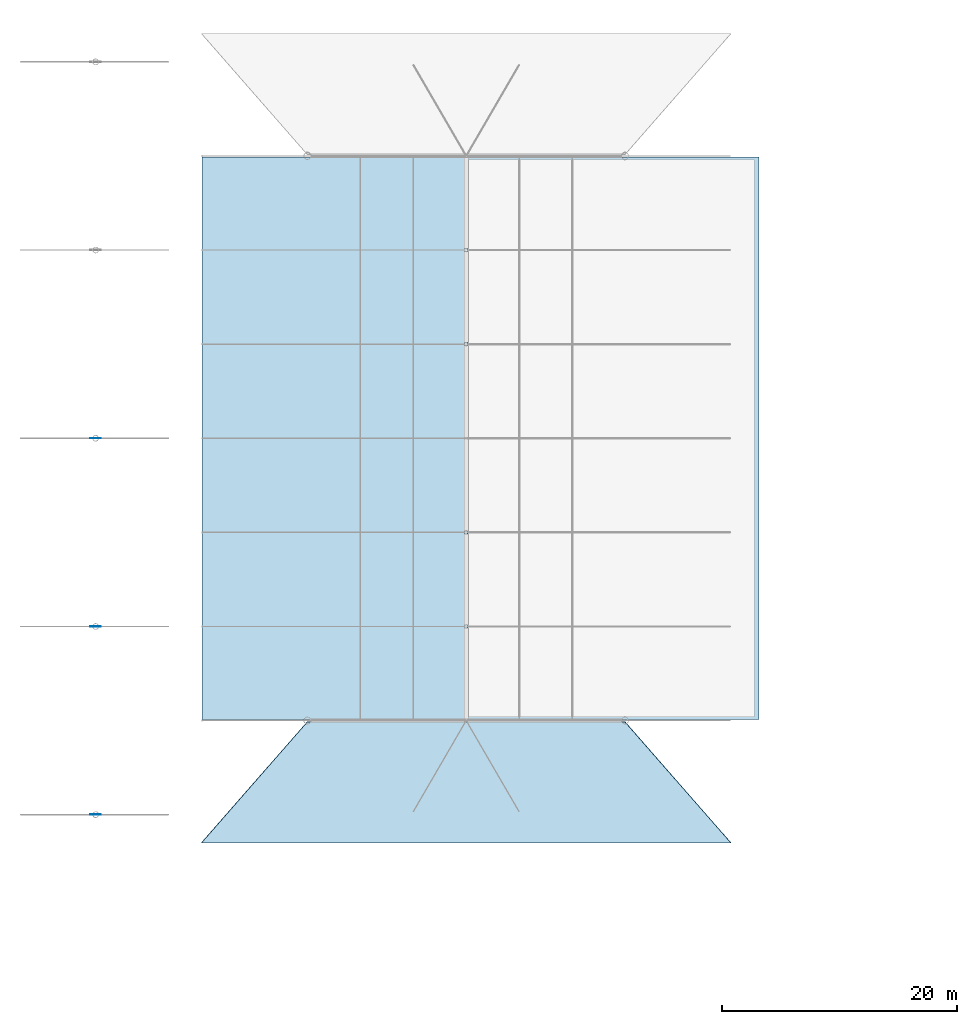
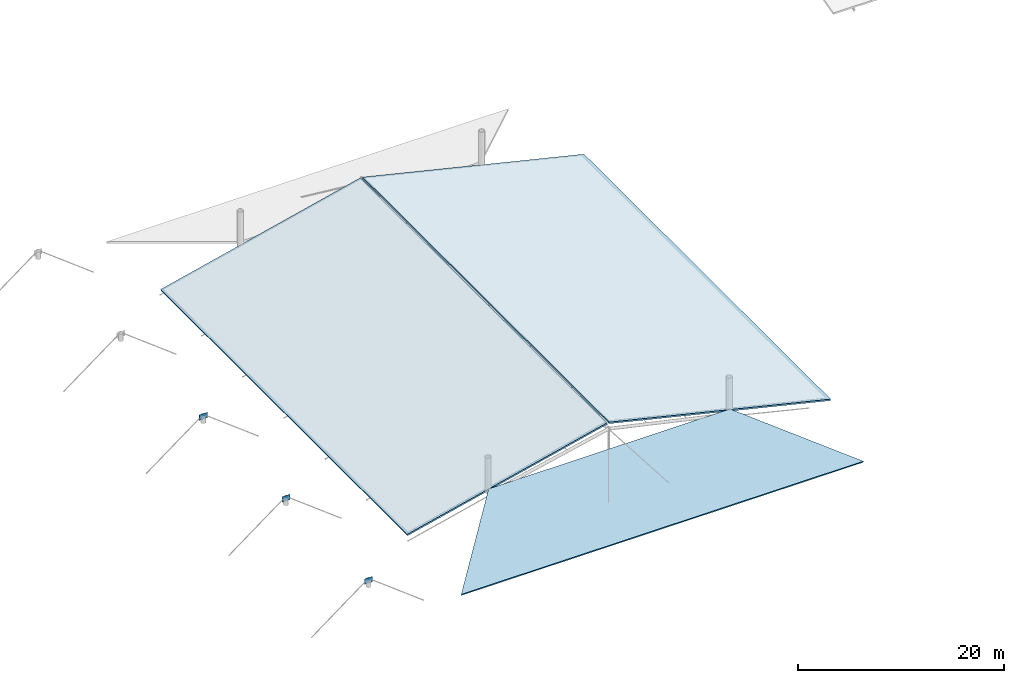
# One storey, part 53 of 71: 3 plates, 3 slabs, 3 elements without a shape of their own.
"""IFC4 building model written with IfcOpenShell, lengths in metres."""

from ifc_helpers import new_model, si_unit, derived_unit, direction, frame, origin, origin_2d, place, context, subcontext, project, spatial, polyline, rectangle, outline, extrude, material, layer, layer_set, type_object, element, aggregate, save


model = new_model("IFC4")

# Units and contexts
model_context = context("Model", 3, precision=1e-05, world=origin(), true_north=direction((0.0, 1.0)))
body_context = subcontext(model_context, "Body", "Model", "MODEL_VIEW")
ifc_project = project(units=[si_unit("LENGTHUNIT", "METRE"), si_unit("AREAUNIT", "SQUARE_METRE"), si_unit("VOLUMEUNIT", "CUBIC_METRE"), si_unit("PLANEANGLEUNIT", "RADIAN"), si_unit("MASSUNIT", "GRAM", prefix="KILO"), derived_unit("THERMALTRANSMITTANCEUNIT", [(si_unit("MASSUNIT", "GRAM", prefix="KILO"), 1), (si_unit("TIMEUNIT", "SECOND"), -3), (si_unit("THERMODYNAMICTEMPERATUREUNIT", "KELVIN"), -1)])], contexts=[model_context])

# Site, building, storey
site_placement = place(None, origin())
site = spatial("IfcSite", under=ifc_project, at=site_placement, CompositionType="ELEMENT")
building_placement = place(site_placement, origin())
building = spatial("IfcBuilding", under=site, at=building_placement, Name="Zhenchuan Archway Interchange", CompositionType="ELEMENT")
storey_placement = place(building_placement, frame((0.0, 0.0, 18.60009765625)))
storey = spatial("IfcBuildingStorey", under=building, at=storey_placement, Name="L04", CompositionType="ELEMENT", Elevation=18.60009765625)

# Plates
ifc_material_1 = material(Name="Steel Q355", Category="steel")
ifc_layer_1 = layer(ifc_material_1, 0.028076171875)
ifc_layer_set_1 = layer_set([ifc_layer_1], Name="Steel Q355")
plate_type = type_object("IfcPlateType", Name="PLT_GUSSET_1", PredefinedType="SHEET", material=ifc_layer_set_1)
for number, where, z_axis, x_axis, name in (
    (1, (18.0, 24.0, 0.375), (0.0, 0.0, 1.0), (1.0, 0.0, 0.0), "Bus canopy mast cable gusset plate BM1"),
    (2, (18.0, 40.0, 0.375), (0.0, 0.0, 1.0), (1.0, 0.0, 0.0), "Bus canopy mast cable gusset plate BM2"),
    (3, (18.0, 56.0, 0.375), (0.0, 0.0, 1.0), (1.0, 0.0, 0.0), "Bus canopy mast cable gusset plate BM3"),
):
    element("IfcPlate", number, at=place(storey_placement, frame(where, z_axis=z_axis, x_axis=x_axis)), inside=storey, type_object=plate_type, Name=name, PredefinedType="SHEET", context=body_context, shape_type="SweptSolid", body=[
        extrude(rectangle(XDim=0.89990234375, YDim=0.028076171875, at=origin_2d()), origin(), (0.0, 0.0, 1.0), 0.64990234375),
    ])

# Roof, slab
ifc_material_2 = material(Name="Steel Q390", Category="steel")
roof_type = type_object("IfcRoofType", Name="ROOF_TENSILE_CABLE", PredefinedType="FREEFORM", material=ifc_material_2)
roof_1_placement = place(storey_placement, origin())
roof_1 = element("IfcRoof", 4, at=roof_1_placement, inside=storey, type_object=roof_type, Name="Concourse cable-net tensile roof west slope", PredefinedType="FREEFORM")
ifc_material_3 = material(Name="Concrete C35", Category="concrete")
ifc_layer_2 = layer(ifc_material_3, 0.179931640625)
ifc_layer_set_2 = layer_set([ifc_layer_2], Name="Concrete C35")
slab_type = type_object("IfcSlabType", Name="SLB_TENSILE_180", PredefinedType="ROOF", material=ifc_layer_set_2)
slab_1_placement = place(storey_placement, frame((27.02001953125, 32.10009765625, -1.93505859375), z_axis=(-0.23335648848, 0.0, 0.972391253192), x_axis=(0.972391253192, 0.0, 0.23335648848)))
slab_1 = element("IfcSlab", 5, at=slab_1_placement, type_object=slab_type, Name="Concourse tensile roof west facet", PredefinedType="ROOF", context=body_context, shape_type="SweptSolid", body=[
    extrude(outline(polyline([(0.0, 0.0), (22.994718646275214, 0.0), (22.994718646275214, 47.7998046875), (0.0, 47.7998046875), (0.0, 0.0)])), origin(), (0.0, 0.0, -1.0), 0.179931640625),
])
aggregate(roof_1, [slab_1])

roof_2_placement = place(storey_placement, origin())
roof_2 = element("IfcRoof", 6, at=roof_2_placement, inside=storey, type_object=roof_type, Name="Concourse cable-net tensile roof east slope", PredefinedType="FREEFORM")
slab_2_placement = place(storey_placement, frame((49.6201171875, 32.10009765625, 3.430908203125), z_axis=(0.233368242003, 0.0, 0.972388432482), x_axis=(0.972388432482, 0.0, -0.233368242003)))
slab_2 = element("IfcSlab", 7, at=slab_2_placement, type_object=slab_type, Name="Concourse tensile roof east facet", PredefinedType="ROOF", context=body_context, shape_type="SweptSolid", body=[
    extrude(outline(polyline([(0.0, 0.0), (25.4834223942846, 0.0), (25.4834223942846, 47.79980468749999), (0.0, 47.79980468749999), (0.0, 0.0)])), origin(), (0.0, 0.0, -1.0), 0.179931640625),
])
aggregate(roof_2, [slab_2])

roof_3_placement = place(storey_placement, origin())
roof_3 = element("IfcRoof", 8, at=roof_3_placement, inside=storey, type_object=roof_type, Name="Concourse cable-net tensile roof south hip", PredefinedType="FREEFORM")
slab_3_placement = place(storey_placement, frame((27.0, 21.60009765625, -2.66015625), z_axis=(0.0, -0.289582762312, 0.957152978249), x_axis=(1.0, 0.0, 0.0)))
slab_3 = element("IfcSlab", 9, at=slab_3_placement, type_object=slab_type, Name="Concourse tensile roof south storm eave hip", PredefinedType="ROOF", context=body_context, shape_type="SweptSolid", body=[
    extrude(outline(polyline([(0.0, 0.0), (45.0, 0.0), (36.0, 10.739960476382574), (9.0, 10.739960476382574), (0.0, 0.0)])), origin(), (0.0, 0.0, -1.0), 0.179931640625),
])
aggregate(roof_3, [slab_3])

save(model, "model.ifc")
